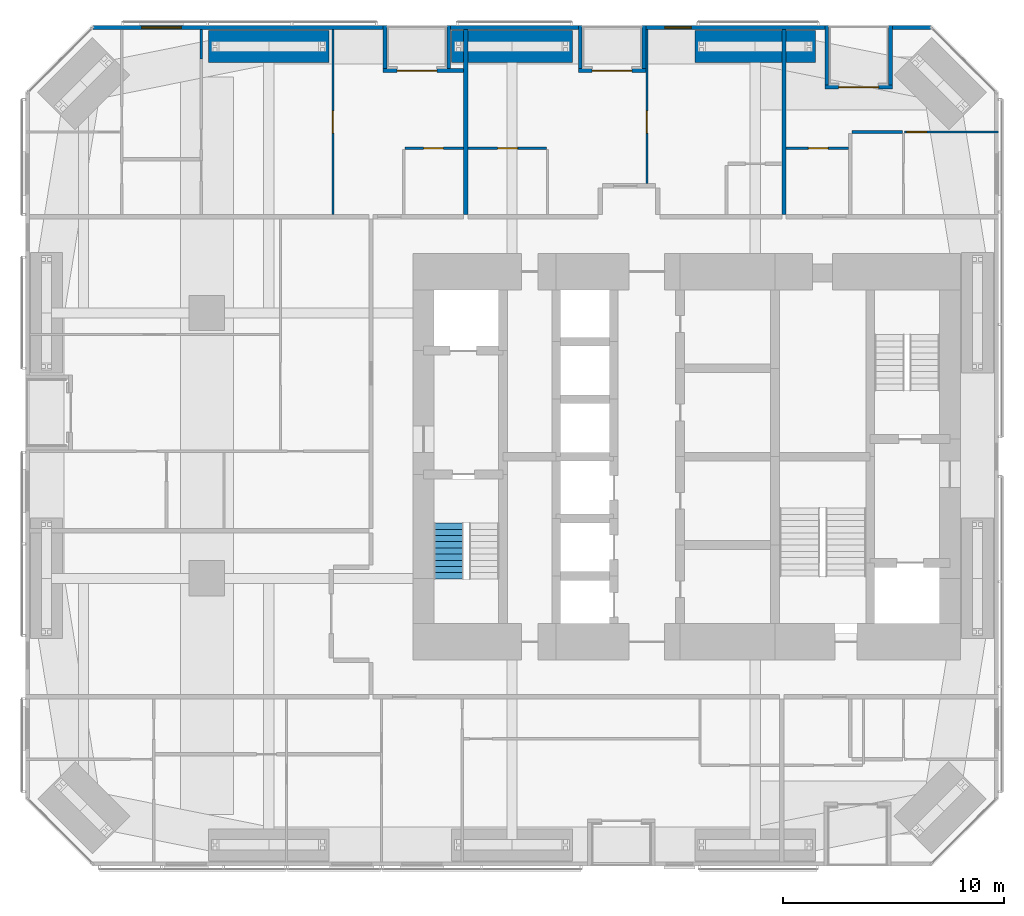
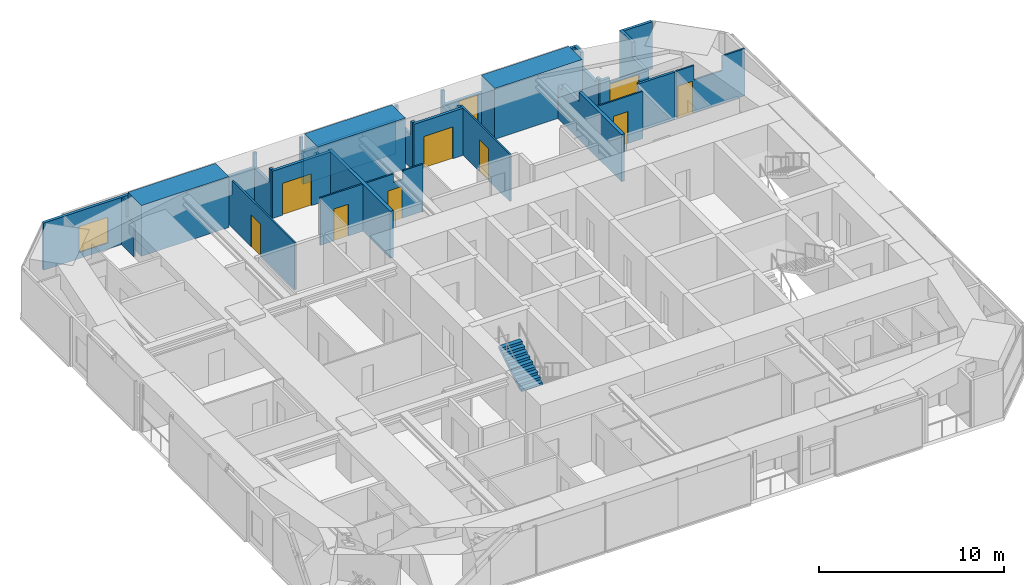
# One storey, part 22 of 24: 27 walls, 9 doors, 2 windows, 1 stair flight, 11 openings, 1 element without a shape of its own.
"""IFC4 building model written with IfcOpenShell, lengths in metres."""

from ifc_helpers import new_model, si_unit, direction, frame, frame_2d, origin, place, context, subcontext, project, spatial, polyline, rectangle, outline, extrude, material, layer, layer_set, constituent, constituent_set, type_object, element, fill, aggregate, save


model = new_model("IFC4")

# Units and contexts
model_context = context("Model", 3, precision=1e-05, world=origin(), true_north=direction((0.0, 1.0)))
body_context = subcontext(model_context, "Body", "Model", "MODEL_VIEW")
ifc_project = project(units=[si_unit("LENGTHUNIT", "METRE"), si_unit("AREAUNIT", "SQUARE_METRE"), si_unit("VOLUMEUNIT", "CUBIC_METRE"), si_unit("PLANEANGLEUNIT", "RADIAN"), si_unit("MASSUNIT", "GRAM", prefix="KILO")], contexts=[model_context])

# Site, building, storey
site_placement = place(None, origin())
site = spatial("IfcSite", under=ifc_project, at=site_placement, CompositionType="ELEMENT")
building_placement = place(site_placement, origin())
building = spatial("IfcBuilding", under=site, at=building_placement, Name="Jalousie Tower", CompositionType="ELEMENT")
storey_placement = place(building_placement, frame((0.0, 0.0, 44.449951171875)))
storey = spatial("IfcBuildingStorey", under=building, at=storey_placement, Name="L11", CompositionType="ELEMENT", Elevation=44.449951171875)

# Walls
ifc_material_1 = material(Name="Concrete block ASTM C90", Category="concrete")
ifc_constituent_1 = constituent(ifc_material_1, Name="Body")
ifc_material_2 = material(Name="Render")
ifc_constituent_2 = constituent(ifc_material_2, Name="Finish")
ifc_constituent_set_1 = constituent_set(constituents=[ifc_constituent_1, ifc_constituent_2])
wall_type_1 = type_object("IfcWallType", Name="BATHROOM WALL 150", PredefinedType="PLUMBINGWALL", material=ifc_constituent_set_1)
wall_1_placement = place(storey_placement, frame((39.375, 33.1826171875, 0.0), z_axis=(0.0, 0.0, 1.0), x_axis=(1.0, 0.0, 0.0)))
element("IfcWall", 1, at=wall_1_placement, inside=storey, type_object=wall_type_1, Name="Bathroom Wall 150 L11", PredefinedType="PLUMBINGWALL", context=body_context, shape_type="SweptSolid", body=[
    extrude(rectangle(XDim=2.27490234375, YDim=0.14990234375, at=frame_2d((1.137451171875, 0.0))), origin(), (0.0, 0.0, 1.0), 3.110107421875),
])
ifc_material_3 = material(Name="Concrete f'c 40 MPa", Category="concrete")
ifc_constituent_3 = constituent(ifc_material_3, Name="Body")
ifc_material_4 = material(Name="Render, pastel coral")
ifc_constituent_4 = constituent(ifc_material_4, Name="Finish")
ifc_constituent_set_2 = constituent_set(constituents=[ifc_constituent_3, ifc_constituent_4])
wall_type_2 = type_object("IfcWallType", Name="EXTERNAL WALL 175 CORAL RENDER", PredefinedType="SOLIDWALL", material=ifc_constituent_set_2)
wall_2_placement = place(storey_placement, frame((42.94873046875, 37.91259765625, 0.0), z_axis=(0.0, 0.0, 1.0), x_axis=(-1.0, 0.0, 0.0)))
element("IfcWall", 2, at=wall_2_placement, inside=storey, type_object=wall_type_2, Name="External Wall 175 Coral Render L11", PredefinedType="SOLIDWALL", context=body_context, shape_type="SweptSolid", body=[
    extrude(rectangle(XDim=1.75, YDim=0.175048828125, at=frame_2d((0.875, 0.0))), origin(), (0.0, 0.0, 1.0), 3.110107421875),
])

# Wall, opening, window
wall_3_placement = place(storey_placement, frame((38.148681640625, 37.91259765625, 0.0), z_axis=(0.0, 0.0, 1.0), x_axis=(-1.0, 0.0, 0.0)))
wall_3 = element("IfcWall", 3, at=wall_3_placement, inside=storey, type_object=wall_type_2, Name="External Wall 175 Coral Render L11", PredefinedType="SOLIDWALL", context=body_context, shape_type="SweptSolid", body=[
    extrude(outline(polyline([(0.0, 0.0), (8.0986328125, 0.0), (8.0986328125, 2.150146484375), (3.148681640625, 2.150146484375), (3.148681640625, 3.110107421875), (2.992919921875, 3.110107421875), (2.992919921875, 2.150146484375), (2.944580078125, 2.150146484375), (2.944580078125, 3.110107421875), (0.0, 3.110107421875), (0.0, 0.0)])), frame((0.0, 0.08740234375, 0.0), z_axis=(0.0, -1.0, 0.0), x_axis=(1.0, 0.0, 0.0)), (0.0, 0.0, 1.0), 0.175048828125),
])
opening_1_placement = place(wall_3_placement, frame((6.03369140625, 0.0, 0.39990234375)))
opening_1 = element("IfcOpeningElement", 4, at=opening_1_placement, cuts=wall_3, Name="Opening W-COR170", PredefinedType="OPENING", context=body_context, shape_type="SweptSolid", body=[
    extrude(rectangle(XDim=1.199951171875, YDim=1.699951171875, at=frame_2d((0.60009765625, 0.85009765625))), frame((0.0, 0.097412109375, 0.0), z_axis=(0.0, -1.0, 0.0), x_axis=(1.0, 0.0, 0.0)), (0.0, 0.0, 1.0), 0.195068359375),
])
ifc_material_5 = material(Name="Aluminium frame, impact-rated glazing", Category="aluminium")
window_type_1 = type_object("IfcWindowType", Name="WINDOW COR 1200x1700", PartitioningType="SINGLE_PANEL", PredefinedType="WINDOW", material=ifc_material_5)
window_1_placement = place(opening_1_placement, origin())
window_1 = element("IfcWindow", 5, at=window_1_placement, inside=storey, type_object=window_type_1, Name="Apartment 1104 dining room window", OverallHeight=1.699951171875, OverallWidth=1.199951171875, PartitioningType="SINGLE_PANEL", PredefinedType="WINDOW", context=body_context, shape_type="SweptSolid", body=[
    extrude(rectangle(XDim=1.199951171875, YDim=1.699951171875, at=frame_2d((0.60009765625, 0.85009765625))), frame((0.0, 0.030029296875, 0.0), z_axis=(0.0, -1.0, 0.0), x_axis=(1.0, 0.0, 0.0)), (0.0, 0.0, 1.0), 0.06005859375),
])
fill(opening_1, window_1)

# Wall
wall_4_placement = place(storey_placement, frame((27.0, 37.91259765625, 0.0), z_axis=(0.0, 0.0, 1.0), x_axis=(-1.0, 0.0, 0.0)))
element("IfcWall", 6, at=wall_4_placement, inside=storey, type_object=wall_type_2, Name="External Wall 175 Coral Render L11", PredefinedType="SOLIDWALL", context=body_context, shape_type="SweptSolid", body=[
    extrude(rectangle(XDim=5.77490234375, YDim=0.175048828125, at=frame_2d((2.887451171875, 0.0))), origin(), (0.0, 0.0, 1.0), 2.150146484375),
])

# Wall, opening, window
wall_5_placement = place(storey_placement, frame((18.175048828125, 37.91259765625, 0.0), z_axis=(0.0, 0.0, 1.0), x_axis=(-1.0, 0.0, 0.0)))
wall_5 = element("IfcWall", 7, at=wall_5_placement, inside=storey, type_object=wall_type_2, Name="External Wall 175 Coral Render L11", PredefinedType="SOLIDWALL", context=body_context, shape_type="SweptSolid", body=[
    extrude(outline(polyline([(0.0, 0.0), (13.123779296875, 0.0), (13.123779296875, 3.110107421875), (5.37890625, 3.110107421875), (5.37890625, 2.150146484375), (5.330810546875, 2.150146484375), (5.330810546875, 3.110107421875), (5.175048828125, 3.110107421875), (5.175048828125, 2.150146484375), (0.0, 2.150146484375), (0.0, 0.0)])), frame((0.0, 0.08740234375, 0.0), z_axis=(0.0, -1.0, 0.0), x_axis=(1.0, 0.0, 0.0)), (0.0, 0.0, 1.0), 0.175048828125),
])
opening_2_placement = place(wall_5_placement, frame((9.125, 0.0, 0.39990234375)))
opening_2 = element("IfcOpeningElement", 8, at=opening_2_placement, cuts=wall_5, Name="Opening W-BED170", PredefinedType="OPENING", context=body_context, shape_type="SweptSolid", body=[
    extrude(rectangle(XDim=1.800048828125, YDim=1.699951171875, at=frame_2d((0.89990234375, 0.85009765625))), frame((0.0, 0.097412109375, 0.0), z_axis=(0.0, -1.0, 0.0), x_axis=(1.0, 0.0, 0.0)), (0.0, 0.0, 1.0), 0.195068359375),
])
ifc_material_6 = material(Name="Aluminium frame, impact-rated glazing", Category="aluminium")
window_type_2 = type_object("IfcWindowType", Name="WINDOW BED 1800x1700", PartitioningType="SINGLE_PANEL", PredefinedType="WINDOW", material=ifc_material_6)
window_2_placement = place(opening_2_placement, origin())
window_2 = element("IfcWindow", 9, at=window_2_placement, inside=storey, type_object=window_type_2, Name="Apartment 1103 bedroom 2 window", OverallHeight=1.699951171875, OverallWidth=1.800048828125, PartitioningType="SINGLE_PANEL", PredefinedType="WINDOW", context=body_context, shape_type="SweptSolid", body=[
    extrude(rectangle(XDim=1.800048828125, YDim=1.699951171875, at=frame_2d((0.89990234375, 0.85009765625))), frame((0.0, 0.030029296875, 0.0), z_axis=(0.0, -1.0, 0.0), x_axis=(1.0, 0.0, 0.0)), (0.0, 0.0, 1.0), 0.06005859375),
])
fill(opening_2, window_2)

# Wall, opening, door
wall_6_placement = place(storey_placement, frame((41.19873046875, 35.21240234375, 0.0), z_axis=(0.0, 0.0, 1.0), x_axis=(-1.0, 0.0, 0.0)))
wall_6 = element("IfcWall", 10, at=wall_6_placement, inside=storey, type_object=wall_type_2, Name="External Wall 175 Coral Render L11-A", PredefinedType="SOLIDWALL", context=body_context, shape_type="SweptSolid", body=[
    extrude(rectangle(XDim=2.425048828125, YDim=0.175048828125, at=frame_2d((1.21240234375, 0.0))), origin(), (0.0, 0.0, 1.0), 2.150146484375),
])
opening_3_placement = place(wall_6_placement, frame((0.625, 0.0, 0.0)))
opening_3 = element("IfcOpeningElement", 11, at=opening_3_placement, cuts=wall_6, Name="Opening D-BAL21", PredefinedType="OPENING", context=body_context, shape_type="SweptSolid", body=[
    extrude(rectangle(XDim=1.800048828125, YDim=2.10009765625, at=frame_2d((0.89990234375, 1.050048828125))), frame((0.0, 0.097412109375, 0.0), z_axis=(0.0, -1.0, 0.0), x_axis=(1.0, 0.0, 0.0)), (0.0, 0.0, 1.0), 0.195068359375),
])
ifc_material_7 = material(Name="Aluminium frame, impact-rated glazing", Category="aluminium")
door_type_1 = type_object("IfcDoorType", Name="BALCONY DOOR 1800x2100", OperationType="SLIDING_TO_LEFT", PredefinedType="DOOR", material=ifc_material_7)
door_1_placement = place(opening_3_placement, origin())
door_1 = element("IfcDoor", 12, at=door_1_placement, inside=storey, type_object=door_type_1, Name="Apartment 1105 living and dining room loggia door", OperationType="SLIDING_TO_LEFT", OverallHeight=2.10009765625, OverallWidth=1.800048828125, PredefinedType="DOOR", context=body_context, shape_type="SweptSolid", body=[
    extrude(rectangle(XDim=1.800048828125, YDim=2.10009765625, at=frame_2d((0.89990234375, 1.050048828125))), frame((0.0, 0.02490234375, 0.0), z_axis=(0.0, -1.0, 0.0), x_axis=(1.0, 0.0, 0.0)), (0.0, 0.0, 1.0), 0.050048828125),
])
fill(opening_3, door_1)

# Walls
wall_7_placement = place(storey_placement, frame((38.773681640625, 35.21240234375, 0.0), z_axis=(0.0, 0.0, 1.0), x_axis=(-1.0, 0.0, 0.0)))
element("IfcWall", 13, at=wall_7_placement, inside=storey, type_object=wall_type_2, Name="External Wall 175 Coral Render L11-B", PredefinedType="SOLIDWALL", context=body_context, shape_type="SweptSolid", body=[
    extrude(rectangle(XDim=0.625, YDim=0.175048828125, at=frame_2d((0.3125, 0.0))), origin(), (0.0, 0.0, 1.0), 2.510009765625),
])
wall_8_placement = place(storey_placement, frame((41.111083984375, 38.0, 0.0), z_axis=(0.0, 0.0, 1.0), x_axis=(0.0, -1.0, 0.0)))
element("IfcWall", 14, at=wall_8_placement, inside=storey, type_object=wall_type_2, Name="External Wall 175 Coral Render L11", PredefinedType="SOLIDWALL", context=body_context, shape_type="SweptSolid", body=[
    extrude(outline(polyline([(0.0, 0.0), (2.699951171875, 0.0), (2.699951171875, 2.150146484375), (1.34423828125, 2.150146484375), (1.34423828125, 3.110107421875), (0.0, 3.110107421875), (0.0, 0.0)])), frame((0.0, 0.08740234375, 0.0), z_axis=(0.0, -1.0, 0.0), x_axis=(1.0, 0.0, 0.0)), (0.0, 0.0, 1.0), 0.175048828125),
])
wall_9_placement = place(storey_placement, frame((38.236083984375, 38.0, 0.0), z_axis=(0.0, 0.0, 1.0), x_axis=(0.0, -1.0, 0.0)))
element("IfcWall", 15, at=wall_9_placement, inside=storey, type_object=wall_type_2, Name="External Wall 175 Coral Render L11", PredefinedType="SOLIDWALL", context=body_context, shape_type="SweptSolid", body=[
    extrude(outline(polyline([(0.0, 0.0), (2.699951171875, 0.0), (2.699951171875, 2.510009765625), (2.433837890625, 2.510009765625), (2.433837890625, 2.150146484375), (0.7666015625, 2.150146484375), (0.7666015625, 3.110107421875), (0.0, 3.110107421875), (0.0, 0.0)])), frame((0.0, 0.08740234375, 0.0), z_axis=(0.0, -1.0, 0.0), x_axis=(1.0, 0.0, 0.0)), (0.0, 0.0, 1.0), 0.175048828125),
])

# Wall, opening, door
wall_10_placement = place(storey_placement, frame((30.050048828125, 35.96240234375, 0.0), z_axis=(0.0, 0.0, 1.0), x_axis=(-1.0, 0.0, 0.0)))
wall_10 = element("IfcWall", 16, at=wall_10_placement, inside=storey, type_object=wall_type_2, Name="External Wall 175 Coral Render L11", PredefinedType="SOLIDWALL", context=body_context, shape_type="SweptSolid", body=[
    extrude(rectangle(XDim=3.050048828125, YDim=0.175048828125, at=frame_2d((1.52490234375, 0.0))), origin(), (0.0, 0.0, 1.0), 3.110107421875),
])
opening_4_placement = place(wall_10_placement, frame((0.625, 0.0, 0.0)))
opening_4 = element("IfcOpeningElement", 17, at=opening_4_placement, cuts=wall_10, Name="Opening D-BAL21", PredefinedType="OPENING", context=body_context, shape_type="SweptSolid", body=[
    extrude(rectangle(XDim=1.800048828125, YDim=2.10009765625, at=frame_2d((0.89990234375, 1.050048828125))), frame((0.0, 0.097412109375, 0.0), z_axis=(0.0, -1.0, 0.0), x_axis=(1.0, 0.0, 0.0)), (0.0, 0.0, 1.0), 0.195068359375),
])
door_2_placement = place(opening_4_placement, origin())
door_2 = element("IfcDoor", 18, at=door_2_placement, inside=storey, type_object=door_type_1, Name="Apartment 1104 studio living and sleeping room loggia door", OperationType="SLIDING_TO_LEFT", OverallHeight=2.10009765625, OverallWidth=1.800048828125, PredefinedType="DOOR", context=body_context, shape_type="SweptSolid", body=[
    extrude(rectangle(XDim=1.800048828125, YDim=2.10009765625, at=frame_2d((0.89990234375, 1.050048828125))), frame((0.0, 0.02490234375, 0.0), z_axis=(0.0, -1.0, 0.0), x_axis=(1.0, 0.0, 0.0)), (0.0, 0.0, 1.0), 0.050048828125),
])
fill(opening_4, door_2)

# Walls
for number, where, z_axis, x_axis, name in (
    (19, (29.96240234375, 38.0, 0.0), (0.0, 0.0, 1.0), (0.0, -1.0, 0.0), "External Wall 175 Coral Render L11"),
    (20, (27.08740234375, 38.0, 0.0), (0.0, 0.0, 1.0), (0.0, -1.0, 0.0), "External Wall 175 Coral Render L11"),
):
    element("IfcWall", number, at=place(storey_placement, frame(where, z_axis=z_axis, x_axis=x_axis)), inside=storey, type_object=wall_type_2, Name=name, PredefinedType="SOLIDWALL", context=body_context, shape_type="SweptSolid", body=[
        extrude(outline(polyline([(0.0, 0.0), (1.949951171875, 0.0), (1.949951171875, 3.110107421875), (1.75, 3.110107421875), (1.75, 2.150146484375), (0.14990234375, 2.150146484375), (0.14990234375, 3.110107421875), (0.0, 3.110107421875), (0.0, 0.0)])), frame((0.0, 0.08740234375, 0.0), z_axis=(0.0, -1.0, 0.0), x_axis=(1.0, 0.0, 0.0)), (0.0, 0.0, 1.0), 0.175048828125),
    ])

# Wall, opening, door
wall_11_placement = place(storey_placement, frame((21.800048828125, 35.96240234375, 0.0), z_axis=(0.0, 0.0, 1.0), x_axis=(-1.0, 0.0, 0.0)))
wall_11 = element("IfcWall", 21, at=wall_11_placement, inside=storey, type_object=wall_type_2, Name="External Wall 175 Coral Render L11", PredefinedType="SOLIDWALL", context=body_context, shape_type="SweptSolid", body=[
    extrude(rectangle(XDim=3.625, YDim=0.175048828125, at=frame_2d((1.8125, 0.0))), origin(), (0.0, 0.0, 1.0), 3.110107421875),
])
opening_5_placement = place(wall_11_placement, frame((1.199951171875, 0.0, 0.0)))
opening_5 = element("IfcOpeningElement", 22, at=opening_5_placement, cuts=wall_11, Name="Opening D-BAL21", PredefinedType="OPENING", context=body_context, shape_type="SweptSolid", body=[
    extrude(rectangle(XDim=1.800048828125, YDim=2.10009765625, at=frame_2d((0.89990234375, 1.050048828125))), frame((0.0, 0.097412109375, 0.0), z_axis=(0.0, -1.0, 0.0), x_axis=(1.0, 0.0, 0.0)), (0.0, 0.0, 1.0), 0.195068359375),
])
door_3_placement = place(opening_5_placement, origin())
door_3 = element("IfcDoor", 23, at=door_3_placement, inside=storey, type_object=door_type_1, Name="Apartment 1103 living room loggia door", OperationType="SLIDING_TO_LEFT", OverallHeight=2.10009765625, OverallWidth=1.800048828125, PredefinedType="DOOR", context=body_context, shape_type="SweptSolid", body=[
    extrude(rectangle(XDim=1.800048828125, YDim=2.10009765625, at=frame_2d((0.89990234375, 1.050048828125))), frame((0.0, 0.02490234375, 0.0), z_axis=(0.0, -1.0, 0.0), x_axis=(1.0, 0.0, 0.0)), (0.0, 0.0, 1.0), 0.050048828125),
])
fill(opening_5, door_3)

# Walls
for number, where, z_axis, x_axis, name in (
    (24, (21.137451171875, 38.0, 0.0), (0.0, 0.0, 1.0), (0.0, -1.0, 0.0), "External Wall 175 Coral Render L11"),
    (25, (18.262451171875, 38.0, 0.0), (0.0, 0.0, 1.0), (0.0, -1.0, 0.0), "External Wall 175 Coral Render L11"),
):
    element("IfcWall", number, at=place(storey_placement, frame(where, z_axis=z_axis, x_axis=x_axis)), inside=storey, type_object=wall_type_2, Name=name, PredefinedType="SOLIDWALL", context=body_context, shape_type="SweptSolid", body=[
        extrude(outline(polyline([(0.0, 0.0), (1.949951171875, 0.0), (1.949951171875, 3.110107421875), (1.75, 3.110107421875), (1.75, 2.150146484375), (0.14990234375, 2.150146484375), (0.14990234375, 3.110107421875), (0.0, 3.110107421875), (0.0, 0.0)])), frame((0.0, 0.08740234375, 0.0), z_axis=(0.0, -1.0, 0.0), x_axis=(1.0, 0.0, 0.0)), (0.0, 0.0, 1.0), 0.175048828125),
    ])
ifc_material_8 = material(Name="Gypsum board", Category="gypsum")
ifc_constituent_5 = constituent(ifc_material_8, Name="Body")
ifc_material_9 = material(Name="Light-gauge steel studs ASTM A653 SS Grade 33", Category="steel")
ifc_constituent_6 = constituent(ifc_material_9, Name="Framing")
ifc_constituent_set_3 = constituent_set(constituents=[ifc_constituent_5, ifc_constituent_6])
wall_type_3 = type_object("IfcWallType", Name="PARTITION 100", PredefinedType="PARTITIONING", material=ifc_constituent_set_3)
wall_12_placement = place(storey_placement, frame((9.949951171875, 37.824951171875, 0.0), z_axis=(0.0, 0.0, 1.0), x_axis=(0.0, -1.0, 0.0)))
element("IfcWall", 26, at=wall_12_placement, inside=storey, type_object=wall_type_3, Name="Partition 100 L11-A", PredefinedType="PARTITIONING", context=body_context, shape_type="SweptSolid", body=[
    extrude(outline(polyline([(0.0, 0.0), (1.337646484375, 0.0), (1.337646484375, 2.150146484375), (0.510498046875, 2.150146484375), (0.510498046875, 3.110107421875), (0.0, 3.110107421875), (0.0, 0.0)])), frame((0.0, 0.050048828125, 0.0), z_axis=(0.0, -1.0, 0.0), x_axis=(1.0, 0.0, 0.0)), (0.0, 0.0, 1.0), 0.10009765625),
])

# Wall, opening, door
wall_13_placement = place(storey_placement, frame((19.14990234375, 32.449951171875, 0.0), z_axis=(0.0, 0.0, 1.0), x_axis=(1.0, 0.0, 0.0)))
wall_13 = element("IfcWall", 27, at=wall_13_placement, inside=storey, type_object=wall_type_3, Name="Partition 100 L11", PredefinedType="PARTITIONING", context=body_context, shape_type="SweptSolid", body=[
    extrude(rectangle(XDim=2.650146484375, YDim=0.10009765625, at=frame_2d((1.3251953125, 0.0))), origin(), (0.0, 0.0, 1.0), 3.110107421875),
])
opening_6_placement = place(wall_13_placement, frame((0.85009765625, 0.0, 0.0)))
opening_6 = element("IfcOpeningElement", 28, at=opening_6_placement, cuts=wall_13, Name="Opening D7", PredefinedType="OPENING", context=body_context, shape_type="SweptSolid", body=[
    extrude(rectangle(XDim=0.89990234375, YDim=2.10009765625, at=frame_2d((0.449951171875, 1.050048828125))), frame((0.0, 0.06005859375, 0.0), z_axis=(0.0, -1.0, 0.0), x_axis=(1.0, 0.0, 0.0)), (0.0, 0.0, 1.0), 0.1201171875),
])
ifc_material_10 = material(Name="Timber door", Category="wood")
door_type_2 = type_object("IfcDoorType", Name="INTERNAL DOOR 900", OperationType="SINGLE_SWING_LEFT", PredefinedType="DOOR", material=ifc_material_10)
door_4_placement = place(opening_6_placement, frame((0.89990234375, 0.0, 0.0), z_axis=(0.0, 0.0, 1.0), x_axis=(-1.0, 0.0, 0.0)))
door_4 = element("IfcDoor", 29, at=door_4_placement, inside=storey, type_object=door_type_2, Name="Apartment 1103 kitchen door", OperationType="SINGLE_SWING_RIGHT", OverallHeight=2.10009765625, OverallWidth=0.89990234375, PredefinedType="DOOR", context=body_context, shape_type="SweptSolid", body=[
    extrude(rectangle(XDim=0.89990234375, YDim=2.10009765625, at=frame_2d((0.449951171875, 1.050048828125))), frame((0.0, 0.02490234375, 0.0), z_axis=(0.0, -1.0, 0.0), x_axis=(1.0, 0.0, 0.0)), (0.0, 0.0, 1.0), 0.050048828125),
])
fill(opening_6, door_4)

wall_14_placement = place(storey_placement, frame((15.89990234375, 37.824951171875, 0.0), z_axis=(0.0, 0.0, 1.0), x_axis=(0.0, -1.0, 0.0)))
wall_14 = element("IfcWall", 30, at=wall_14_placement, inside=storey, type_object=wall_type_3, Name="Partition 100 L11", PredefinedType="PARTITIONING", context=body_context, shape_type="SweptSolid", body=[
    extrude(outline(polyline([(0.0, 0.0), (8.375, 0.0), (8.375, 3.110107421875), (1.635009765625, 3.110107421875), (1.635009765625, 2.150146484375), (0.0, 2.150146484375), (0.0, 3.110107421875), (0.0, 0.0)])), frame((0.0, 0.050048828125, 0.0), z_axis=(0.0, -1.0, 0.0), x_axis=(1.0, 0.0, 0.0)), (0.0, 0.0, 1.0), 0.10009765625),
])
opening_7_placement = place(wall_14_placement, frame((3.6875, 0.0, 0.0)))
opening_7 = element("IfcOpeningElement", 31, at=opening_7_placement, cuts=wall_14, Name="Opening D6", PredefinedType="OPENING", context=body_context, shape_type="SweptSolid", body=[
    extrude(rectangle(XDim=1.0, YDim=2.10009765625, at=frame_2d((0.5, 1.050048828125))), frame((0.0, 0.06005859375, 0.0), z_axis=(0.0, -1.0, 0.0), x_axis=(1.0, 0.0, 0.0)), (0.0, 0.0, 1.0), 0.1201171875),
])
ifc_material_11 = material(Name="Timber door", Category="wood")
door_type_3 = type_object("IfcDoorType", Name="INTERNAL DOOR 1000", OperationType="SINGLE_SWING_LEFT", PredefinedType="DOOR", material=ifc_material_11)
door_5_placement = place(opening_7_placement, frame((1.0, 0.0, 0.0), z_axis=(0.0, 0.0, 1.0), x_axis=(-1.0, 0.0, 0.0)))
door_5 = element("IfcDoor", 32, at=door_5_placement, inside=storey, type_object=door_type_3, Name="Apartment 1103 dining room door", OperationType="SINGLE_SWING_RIGHT", OverallHeight=2.10009765625, OverallWidth=1.0, PredefinedType="DOOR", context=body_context, shape_type="SweptSolid", body=[
    extrude(rectangle(XDim=1.0, YDim=2.10009765625, at=frame_2d((0.5, 1.050048828125))), frame((0.0, 0.02490234375, 0.0), z_axis=(0.0, -1.0, 0.0), x_axis=(1.0, 0.0, 0.0)), (0.0, 0.0, 1.0), 0.050048828125),
])
fill(opening_7, door_5)

wall_15_placement = place(storey_placement, frame((22.0, 32.449951171875, 0.0), z_axis=(0.0, 0.0, 1.0), x_axis=(1.0, 0.0, 0.0)))
wall_15 = element("IfcWall", 33, at=wall_15_placement, inside=storey, type_object=wall_type_3, Name="Partition 100 L11", PredefinedType="PARTITIONING", context=body_context, shape_type="SweptSolid", body=[
    extrude(outline(polyline([(0.0, 0.0), (3.550048828125, 0.0), (3.550048828125, 3.110107421875), (2.287353515625, 3.110107421875), (2.287353515625, 2.541015625), (1.712646484375, 2.541015625), (1.712646484375, 3.110107421875), (0.0, 3.110107421875), (0.0, 0.0)])), frame((0.0, 0.050048828125, 0.0), z_axis=(0.0, -1.0, 0.0), x_axis=(1.0, 0.0, 0.0)), (0.0, 0.0, 1.0), 0.10009765625),
])
opening_8_placement = place(wall_15_placement, frame((1.35009765625, 0.0, 0.0)))
opening_8 = element("IfcOpeningElement", 34, at=opening_8_placement, cuts=wall_15, Name="Opening D7", PredefinedType="OPENING", context=body_context, shape_type="SweptSolid", body=[
    extrude(rectangle(XDim=0.89990234375, YDim=2.10009765625, at=frame_2d((0.449951171875, 1.050048828125))), frame((0.0, 0.06005859375, 0.0), z_axis=(0.0, -1.0, 0.0), x_axis=(1.0, 0.0, 0.0)), (0.0, 0.0, 1.0), 0.1201171875),
])
door_6_placement = place(opening_8_placement, frame((0.89990234375, 0.0, 0.0), z_axis=(0.0, 0.0, 1.0), x_axis=(-1.0, 0.0, 0.0)))
door_6 = element("IfcDoor", 35, at=door_6_placement, inside=storey, type_object=door_type_2, Name="Apartment 1104 kitchen door", OperationType="SINGLE_SWING_LEFT", OverallHeight=2.10009765625, OverallWidth=0.89990234375, PredefinedType="DOOR", context=body_context, shape_type="SweptSolid", body=[
    extrude(rectangle(XDim=0.89990234375, YDim=2.10009765625, at=frame_2d((0.449951171875, 1.050048828125))), frame((0.0, 0.02490234375, 0.0), z_axis=(0.0, -1.0, 0.0), x_axis=(1.0, 0.0, 0.0)), (0.0, 0.0, 1.0), 0.050048828125),
])
fill(opening_8, door_6)

wall_16_placement = place(storey_placement, frame((30.10009765625, 37.824951171875, 0.0), z_axis=(0.0, 0.0, 1.0), x_axis=(0.0, -1.0, 0.0)))
wall_16 = element("IfcWall", 36, at=wall_16_placement, inside=storey, type_object=wall_type_3, Name="Partition 100 L11", PredefinedType="PARTITIONING", context=body_context, shape_type="SweptSolid", body=[
    extrude(outline(polyline([(0.0, 0.0), (6.974853515625, 0.0), (6.97509765625, 3.110107421875), (1.635009765625, 3.110107421875), (1.635009765625, 2.150146484375), (0.0, 2.150146484375), (0.0, 3.110107421875), (0.0, 0.0)])), frame((0.0, 0.050048828125, 0.0), z_axis=(0.0, -1.0, 0.0), x_axis=(1.0, 0.0, 0.0)), (0.0, 0.0, 1.0), 0.10009765625),
])
opening_9_placement = place(wall_16_placement, frame((3.6875, 0.0, 0.0)))
opening_9 = element("IfcOpeningElement", 37, at=opening_9_placement, cuts=wall_16, Name="Opening D6", PredefinedType="OPENING", context=body_context, shape_type="SweptSolid", body=[
    extrude(rectangle(XDim=1.0, YDim=2.10009765625, at=frame_2d((0.5, 1.050048828125))), frame((0.0, 0.06005859375, 0.0), z_axis=(0.0, -1.0, 0.0), x_axis=(1.0, 0.0, 0.0)), (0.0, 0.0, 1.0), 0.1201171875),
])
door_7_placement = place(opening_9_placement, origin())
door_7 = element("IfcDoor", 38, at=door_7_placement, inside=storey, type_object=door_type_3, Name="Apartment 1104 dining room door", OperationType="SINGLE_SWING_RIGHT", OverallHeight=2.10009765625, OverallWidth=1.0, PredefinedType="DOOR", context=body_context, shape_type="SweptSolid", body=[
    extrude(rectangle(XDim=1.0, YDim=2.10009765625, at=frame_2d((0.5, 1.050048828125))), frame((0.0, 0.02490234375, 0.0), z_axis=(0.0, -1.0, 0.0), x_axis=(1.0, 0.0, 0.0)), (0.0, 0.0, 1.0), 0.050048828125),
])
fill(opening_9, door_7)

wall_17_placement = place(storey_placement, frame((41.75, 33.1826171875, 0.0), z_axis=(0.0, 0.0, 1.0), x_axis=(1.0, 0.0, 0.0)))
wall_17 = element("IfcWall", 39, at=wall_17_placement, inside=storey, type_object=wall_type_3, Name="Partition 100 L11", PredefinedType="PARTITIONING", context=body_context, shape_type="SweptSolid", body=[
    extrude(outline(polyline([(0.0, 0.0), (4.25, 0.0), (4.25, 3.110107421875), (2.84423828125, 3.110107421875), (2.84423828125, 2.150146484375), (1.101806640625, 2.150146484375), (1.101806640625, 3.110107421875), (0.0, 3.110107421875), (0.0, 0.0)])), frame((0.0, 0.050048828125, 0.0), z_axis=(0.0, -1.0, 0.0), x_axis=(1.0, 0.0, 0.0)), (0.0, 0.0, 1.0), 0.10009765625),
])
opening_10_placement = place(wall_17_placement, frame((0.10009765625, 0.0, 0.0)))
opening_10 = element("IfcOpeningElement", 40, at=opening_10_placement, cuts=wall_17, Name="Opening D2", PredefinedType="OPENING", context=body_context, shape_type="SweptSolid", body=[
    extrude(rectangle(XDim=0.89990234375, YDim=2.10009765625, at=frame_2d((0.449951171875, 1.050048828125))), frame((0.0, 0.06005859375, 0.0), z_axis=(0.0, -1.0, 0.0), x_axis=(1.0, 0.0, 0.0)), (0.0, 0.0, 1.0), 0.1201171875),
])
ifc_material_12 = material(Name="Timber door", Category="wood")
door_type_4 = type_object("IfcDoorType", Name="BEDROOM DOOR 900", OperationType="SINGLE_SWING_LEFT", PredefinedType="DOOR", material=ifc_material_12)
door_8_placement = place(opening_10_placement, frame((0.89990234375, 0.0, 0.0), z_axis=(0.0, 0.0, 1.0), x_axis=(-1.0, 0.0, 0.0)))
door_8 = element("IfcDoor", 41, at=door_8_placement, inside=storey, type_object=door_type_4, Name="Apartment 1105 bedroom 1 door", OperationType="SINGLE_SWING_RIGHT", OverallHeight=2.10009765625, OverallWidth=0.89990234375, PredefinedType="DOOR", context=body_context, shape_type="SweptSolid", body=[
    extrude(rectangle(XDim=0.89990234375, YDim=2.10009765625, at=frame_2d((0.449951171875, 1.050048828125))), frame((0.0, 0.02490234375, 0.0), z_axis=(0.0, -1.0, 0.0), x_axis=(1.0, 0.0, 0.0)), (0.0, 0.0, 1.0), 0.050048828125),
])
fill(opening_10, door_8)

wall_18_placement = place(storey_placement, frame((36.39990234375, 32.449951171875, 0.0), z_axis=(0.0, 0.0, 1.0), x_axis=(1.0, 0.0, 0.0)))
wall_18 = element("IfcWall", 42, at=wall_18_placement, inside=storey, type_object=wall_type_3, Name="Partition 100 L11", PredefinedType="PARTITIONING", context=body_context, shape_type="SweptSolid", body=[
    extrude(rectangle(XDim=2.8251953125, YDim=0.10009765625, at=frame_2d((1.41259765625, 0.0))), origin(), (0.0, 0.0, 1.0), 3.110107421875),
])
opening_11_placement = place(wall_18_placement, frame((1.0, 0.0, 0.0)))
opening_11 = element("IfcOpeningElement", 43, at=opening_11_placement, cuts=wall_18, Name="Opening D7", PredefinedType="OPENING", context=body_context, shape_type="SweptSolid", body=[
    extrude(rectangle(XDim=0.89990234375, YDim=2.10009765625, at=frame_2d((0.449951171875, 1.050048828125))), frame((0.0, 0.06005859375, 0.0), z_axis=(0.0, -1.0, 0.0), x_axis=(1.0, 0.0, 0.0)), (0.0, 0.0, 1.0), 0.1201171875),
])
door_9_placement = place(opening_11_placement, origin())
door_9 = element("IfcDoor", 44, at=door_9_placement, inside=storey, type_object=door_type_2, Name="Apartment 1105 kitchen door", OperationType="SINGLE_SWING_RIGHT", OverallHeight=2.10009765625, OverallWidth=0.89990234375, PredefinedType="DOOR", context=body_context, shape_type="SweptSolid", body=[
    extrude(rectangle(XDim=0.89990234375, YDim=2.10009765625, at=frame_2d((0.449951171875, 1.050048828125))), frame((0.0, 0.02490234375, 0.0), z_axis=(0.0, -1.0, 0.0), x_axis=(1.0, 0.0, 0.0)), (0.0, 0.0, 1.0), 0.050048828125),
])
fill(opening_11, door_9)

# Walls
ifc_material_13 = material(Name="Concrete block ASTM C90", Category="concrete")
ifc_constituent_7 = constituent(ifc_material_13, Name="Body")
ifc_material_14 = material(Name="Render")
ifc_constituent_8 = constituent(ifc_material_14, Name="Finish")
ifc_constituent_set_4 = constituent_set(constituents=[ifc_constituent_7, ifc_constituent_8])
wall_type_4 = type_object("IfcWallType", Name="PARTY WALL 200", PredefinedType="PARTITIONING", material=ifc_constituent_set_4)
wall_19_placement = place(storey_placement, frame((21.89990234375, 37.824951171875, 0.0), z_axis=(0.0, 0.0, 1.0), x_axis=(0.0, -1.0, 0.0)))
element("IfcWall", 45, at=wall_19_placement, inside=storey, type_object=wall_type_4, Name="Party Wall 200 L11", PredefinedType="PARTITIONING", context=body_context, shape_type="SweptSolid", body=[
    extrude(outline(polyline([(0.52880859375, 2.150146484375), (0.0, 2.150146484375), (0.0, 0.0), (0.52880859375, 0.0), (0.52880859375, 0.0556640625), (1.021240234375, 0.0556640625), (1.021240234375, 0.0), (8.375, 0.0), (8.375, 3.110107421875), (1.68505859375, 3.110107421875), (1.68505859375, 2.150146484375), (1.021240234375, 2.150146484375), (1.021240234375, 2.094482421875), (0.52880859375, 2.094482421875), (0.52880859375, 2.150146484375)])), frame((0.0, 0.10009765625, 0.0), z_axis=(0.0, -1.0, 0.0), x_axis=(1.0, 0.0, 0.0)), (0.0, 0.0, 1.0), 0.199951171875),
])
wall_20_placement = place(storey_placement, frame((36.300048828125, 37.824951171875, 0.0), z_axis=(0.0, 0.0, 1.0), x_axis=(0.0, -1.0, 0.0)))
element("IfcWall", 46, at=wall_20_placement, inside=storey, type_object=wall_type_4, Name="Party Wall 200 L11", PredefinedType="PARTITIONING", context=body_context, shape_type="SweptSolid", body=[
    extrude(outline(polyline([(0.10791015625, 3.110107421875), (0.0, 3.110107421875), (0.0, 0.0), (0.52880859375, 0.0), (0.52880859375, 0.608154296875), (1.021240234375, 0.608154296875), (1.021240234375, 0.0), (8.375, 0.0), (8.375, 3.110107421875), (3.766357421875, 3.110107421875), (3.766357421875, 2.510009765625), (1.96435546875, 2.510009765625), (1.96435546875, 2.150146484375), (1.021240234375, 2.150146484375), (1.021240234375, 1.5419921875), (0.52880859375, 1.5419921875), (0.52880859375, 2.150146484375), (0.10791015625, 2.150146484375), (0.10791015625, 3.110107421875)])), frame((0.0, 0.10009765625, 0.0), z_axis=(0.0, -1.0, 0.0), x_axis=(1.0, 0.0, 0.0)), (0.0, 0.0, 1.0), 0.199951171875),
])
ifc_material_15 = material(Name="Concrete f'c 120 MPa", Category="concrete")
ifc_layer = layer(ifc_material_15, 1.449951171875)
ifc_layer_set = layer_set([ifc_layer], Name="Concrete f'c 120 MPa")
wall_type_5 = type_object("IfcWallType", Name="RC WALL PIER 1450", PredefinedType="SHEAR", material=ifc_layer_set)
for number, where, z_axis, x_axis, name in (
    (47, (32.27490234375, 37.050048828125, 0.0), (0.0, 0.0, 1.0), (1.0, 0.0, 0.0), "Wall pier 09 L11"),
    (48, (21.27490234375, 37.050048828125, 0.0), (0.0, 0.0, 1.0), (1.0, 0.0, 0.0), "Wall pier 10 L11"),
    (49, (10.27490234375, 37.050048828125, 0.0), (0.0, 0.0, 1.0), (1.0, 0.0, 0.0), "Wall pier 11 L11"),
):
    element("IfcWall", number, at=place(storey_placement, frame(where, z_axis=z_axis, x_axis=x_axis)), inside=storey, type_object=wall_type_5, Name=name, PredefinedType="SHEAR", context=body_context, shape_type="SweptSolid", body=[
        extrude(rectangle(XDim=5.4501953125, YDim=1.449951171875, at=frame_2d((2.72509765625, 0.0))), origin(), (0.0, 0.0, 1.0), 3.35009765625),
    ])

# Stair, stair flight
ifc_material_16 = material(Name="Concrete f'c 40 MPa", Category="concrete")
stair_type = type_object("IfcStairType", Name="EXIT STAIR", PredefinedType="HALF_TURN_STAIR", material=ifc_material_16)
stair_placement = place(storey_placement, origin())
stair = element("IfcStair", 50, at=stair_placement, inside=storey, type_object=stair_type, Name="Exit stair A L11", PredefinedType="HALF_TURN_STAIR")
ifc_material_17 = material(Name="Concrete f'c 40 MPa", Category="concrete")
stair_flight_type = type_object("IfcStairFlightType", Name="STAIR FLIGHT", PredefinedType="STRAIGHT", material=ifc_material_17)
stair_flight_placement = place(storey_placement, frame((21.143798828125, 12.9775390625, 1.675048828125), z_axis=(0.0, 0.0, 1.0), x_axis=(0.0, 1.0, 0.0)))
stair_flight = element("IfcStairFlight", 51, at=stair_flight_placement, type_object=stair_flight_type, Name="ST-A flight 2", NumberOfRisers=10, NumberOfTreads=9, PredefinedType="STRAIGHT", RiserHeight=0.1675, TreadLength=0.28, context=body_context, shape_type="SweptSolid", body=[
    extrude(outline(polyline([(0.0, 0.0), (0.0, 0.16748046875), (0.280029296875, 0.16748046875), (0.280029296875, 0.3349609375), (0.56005859375, 0.3349609375), (0.56005859375, 0.50244140625), (0.840087890625, 0.50244140625), (0.840087890625, 0.669921875), (1.1201171875, 0.669921875), (1.1201171875, 0.83740234375), (1.39990234375, 0.83740234375), (1.39990234375, 1.0048828125), (1.679931640625, 1.0048828125), (1.679931640625, 1.172607421875), (1.9599609375, 1.172607421875), (1.9599609375, 1.340087890625), (2.239990234375, 1.340087890625), (2.239990234375, 1.507568359375), (2.52001953125, 1.507568359375), (2.52001953125, 1.675048828125), (2.52001953125, 1.332763671875), (0.2919921875, 0.0), (0.0, 0.0)])), frame((0.0, 0.668701171875, 0.0), z_axis=(0.0, -1.0, 0.0), x_axis=(1.0, 0.0, 0.0)), (0.0, 0.0, 1.0), 1.33740234375),
])
aggregate(stair, [stair_flight])

save(model, "model.ifc")
